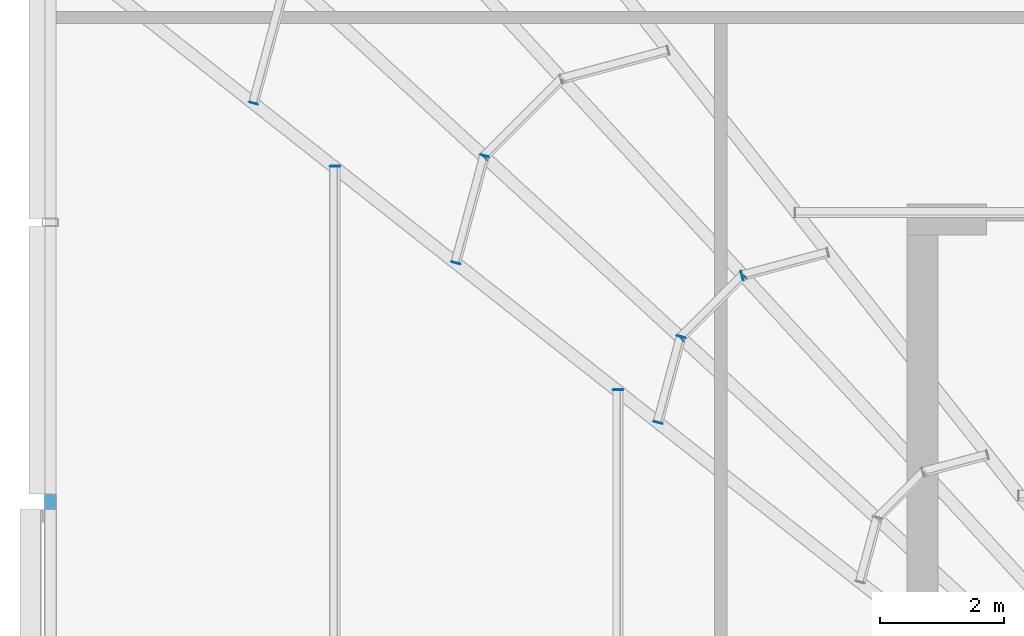
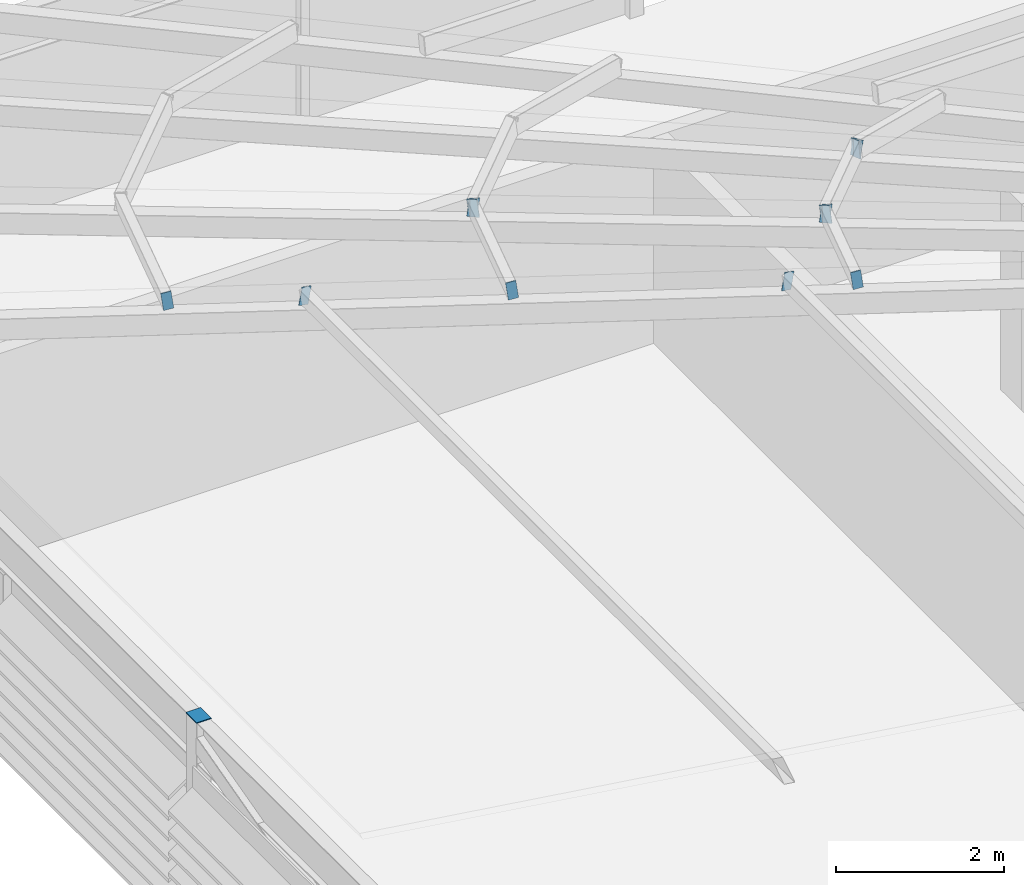
# One storey, part 35 of 46: 12 discrete accessories.
"""IFC4 building model written with IfcOpenShell, lengths in metres."""

from ifc_helpers import new_model, si_unit, direction, frame, origin, origin_2d, place, context, subcontext, project, spatial, rectangle, extrude, material, type_object, element, save


model = new_model("IFC4")

# Units and contexts
model_context = context("Model", 3, precision=1e-05, world=origin(), true_north=direction((0.0, 1.0)))
body_context = subcontext(model_context, "Body", "Model", "MODEL_VIEW")
ifc_project = project(units=[si_unit("LENGTHUNIT", "METRE"), si_unit("AREAUNIT", "SQUARE_METRE"), si_unit("VOLUMEUNIT", "CUBIC_METRE"), si_unit("PLANEANGLEUNIT", "RADIAN"), si_unit("MASSUNIT", "GRAM", prefix="KILO")], contexts=[model_context])

# Site, building, storey
site_placement = place(None, origin())
site = spatial("IfcSite", under=ifc_project, at=site_placement, CompositionType="ELEMENT")
building_placement = place(site_placement, origin())
building = spatial("IfcBuilding", under=site, at=building_placement, Name="Madar Terraces", CompositionType="ELEMENT")
storey_placement = place(building_placement, frame((0.0, 0.0, 317.300048828125)))
storey = spatial("IfcBuildingStorey", under=building, at=storey_placement, Name="L82", CompositionType="ELEMENT", Elevation=317.300048828125)

# Discrete accessories
ifc_material = material(Name="Steel plate ASTM A36, galvanised", Category="steel")
discrete_accessory_type = type_object("IfcDiscreteAccessoryType", Name="Hollow section end plate", PredefinedType="BRACKET", material=ifc_material)
for number, where, z_axis, x_axis, name in (
    (1, (12.34716796875, 36.64453125, 5.142578125), (-0.968917710624, -0.247383245266, 0.0), (0.245149292044, -0.960168060506, 0.13408624163), "Hollow section end plate"),
    (2, (8.185546875, 38.5595703125, 4.571044921875), (-0.707106781187, -0.707106781187, 0.0), (0.700941463334, -0.700941463334, 0.131765435371), "Hollow section end plate"),
    (3, (12.354736328125, 36.649169921875, 5.142578125), (0.707106781187, 0.707106781187, 0.0), (-0.700941463334, 0.700941463334, 0.131765435371), "Hollow section end plate"),
    (4, (11.350830078125, 35.645263671875, 5.142578125), (-0.707106781187, -0.707106781187, 0.0), (0.700941463334, -0.700941463334, 0.131765435371), "Hollow section end plate"),
    (5, (4.4736328125, 39.424072265625, 3.999755859375), (-0.266586054538, -0.963811120254, 0.0), (0.95510758435, -0.264178693544, 0.13408624163), "Hollow section end plate"),
    (6, (8.190185546875, 38.567138671875, 4.5712890625), (0.247383245266, 0.968917710624, 0.0), (-0.960168060506, 0.245149292044, 0.13408624163), "Hollow section end plate"),
):
    element("IfcDiscreteAccessory", number, at=place(storey_placement, frame(where, z_axis=z_axis, x_axis=x_axis)), inside=storey, type_object=discrete_accessory_type, Name=name, PredefinedType="BRACKET", context=body_context, shape_type="SweptSolid", body=[
        extrude(rectangle(XDim=0.126953125, YDim=0.25390625, at=origin_2d()), origin(), (0.0, 0.0, 1.0), 0.011962890625),
    ])
discrete_accessory_1_placement = place(storey_placement, frame((7.730712890625, 36.852783203125, 4.5712890625), z_axis=(-0.261415475728, -0.96522637192, 0.0), x_axis=(0.956510055821, -0.259054806785, 0.13408624163)))
element("IfcDiscreteAccessory", 7, at=discrete_accessory_1_placement, inside=storey, type_object=discrete_accessory_type, Name="Hollow section end plate", PredefinedType="BRACKET", context=body_context, shape_type="SweptSolid", body=[
    extrude(rectangle(XDim=0.126953125, YDim=0.25390625, at=origin_2d()), origin(), (0.0, 0.0, 1.0), 0.01220703125),
])
for number, where, z_axis, x_axis, name in (
    (8, (11.35546875, 35.65283203125, 5.142578125), (0.247383245266, 0.968917710624, 0.0), (-0.960168060506, 0.245149292044, 0.13408624163), "Hollow section end plate"),
    (9, (10.98779296875, 34.28125, 5.142578125), (-0.247383245266, -0.968917710624, 0.0), (0.960168060506, -0.245149292044, 0.13408624163), "Hollow section end plate"),
):
    element("IfcDiscreteAccessory", number, at=place(storey_placement, frame(where, z_axis=z_axis, x_axis=x_axis)), inside=storey, type_object=discrete_accessory_type, Name=name, PredefinedType="BRACKET", context=body_context, shape_type="SweptSolid", body=[
        extrude(rectangle(XDim=0.126953125, YDim=0.25390625, at=origin_2d()), origin(), (0.0, 0.0, 1.0), 0.011962890625),
    ])
discrete_accessory_2_placement = place(storey_placement, frame((5.781982421875, 38.39990234375, 4.22900390625), z_axis=(0.0, 1.0, 0.0), x_axis=(-0.984957023705, 0.0, 0.172799483372)))
element("IfcDiscreteAccessory", 10, at=discrete_accessory_2_placement, inside=storey, type_object=discrete_accessory_type, Name="Hollow section end plate", PredefinedType="BRACKET", context=body_context, shape_type="SweptSolid", body=[
    extrude(rectangle(XDim=0.126953125, YDim=0.25390625, at=origin_2d()), origin(), (0.0, 0.0, 1.0), 0.01220703125),
])
discrete_accessory_3_placement = place(storey_placement, frame((10.342041015625, 34.800048828125, 5.029052734375), z_axis=(0.0, 1.0, 0.0), x_axis=(-0.984957023705, 0.0, 0.172799483372)))
element("IfcDiscreteAccessory", 11, at=discrete_accessory_3_placement, inside=storey, type_object=discrete_accessory_type, Name="Hollow section end plate", PredefinedType="BRACKET", context=body_context, shape_type="SweptSolid", body=[
    extrude(rectangle(XDim=0.126953125, YDim=0.25390625, at=origin_2d()), origin(), (0.0, 0.0, 1.0), 0.011962890625),
])
discrete_accessory_4_placement = place(storey_placement, frame((1.199951171875, 33.0, 3.0), z_axis=(0.0, 0.0, 1.0), x_axis=(1.0, 0.0, 0.0)))
element("IfcDiscreteAccessory", 12, at=discrete_accessory_4_placement, inside=storey, type_object=discrete_accessory_type, Name="Hollow section end plate", PredefinedType="BRACKET", context=body_context, shape_type="SweptSolid", body=[
    extrude(rectangle(XDim=0.203125, YDim=0.25390625, at=origin_2d()), origin(), (0.0, 0.0, 1.0), 0.011962890625),
])

save(model, "model.ifc")
